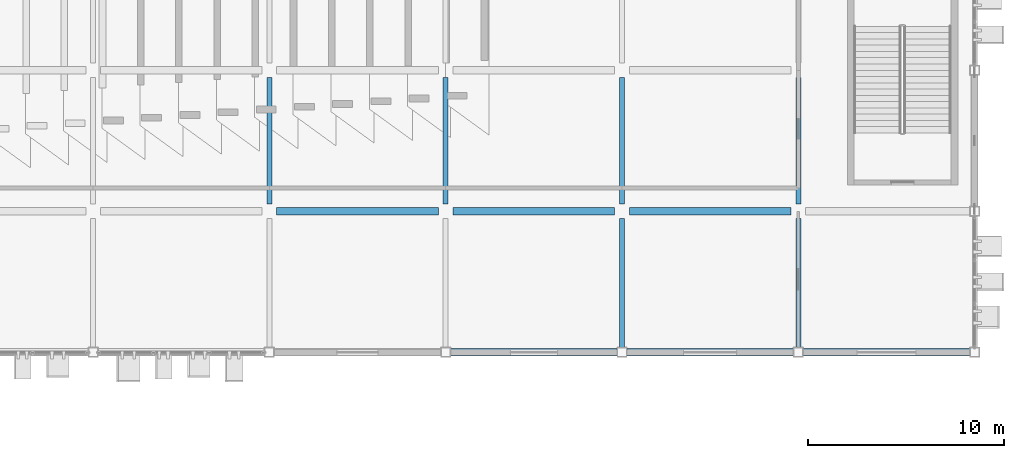
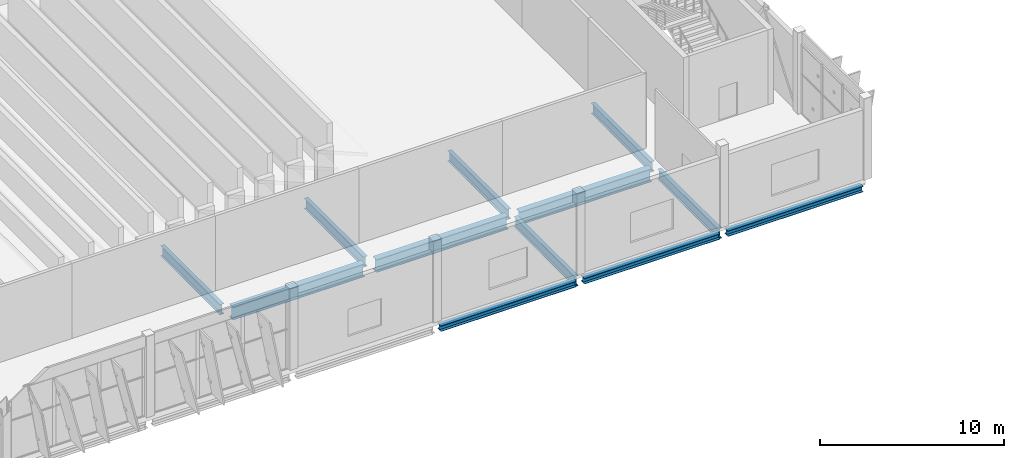
# One storey, part 82 of 189: 12 beams.
"""IFC4 building model written with IfcOpenShell, lengths in metres."""

import ifcopenshell
import ifcopenshell.guid

model = None  # the IFC model being written
_history = None  # IfcOwnerHistory: only IFC2X3 demands one
_inside = {}  # id of a spatial element -> (the spatial element, [elements in it])
_under = {}  # id of a project, library or spatial element -> (it, [spatial elements below it])
_declared = {}  # id of a project -> (the project, [libraries it declares])
_typed = {}  # id of a type object -> (the type object, [elements of that type])
_made_of = {}  # id of a material, layer set ... -> (it, [elements and type objects made of it])


def new_model(schema):
    """Start an empty IFC model of exactly this schema.

    Asked for "IFC4X3", IfcOpenShell would pick the latest addendum, in which some entities
    have other attributes; the version numbers below select the first issue.
    IFC2X3 requires an IfcOwnerHistory on every rooted entity: one is made here for all.
    """
    global model, _history
    if schema == "IFC4X3":
        model = ifcopenshell.file(schema_version=(4, 3, 0, 0))
    else:
        model = ifcopenshell.file(schema=schema)
    _inside.clear()
    _under.clear()
    _declared.clear()
    _typed.clear()
    _made_of.clear()
    _history = None
    if model.schema == "IFC2X3":
        org = make("IfcOrganization", Name="unknown")
        user = make(
            "IfcPersonAndOrganization",
            ThePerson=make("IfcPerson", FamilyName="unknown"),
            TheOrganization=org,
        )
        app = make(
            "IfcApplication",
            ApplicationDeveloper=org,
            Version="unknown",
            ApplicationFullName="unknown",
            ApplicationIdentifier="unknown",
        )
        _history = make(
            "IfcOwnerHistory",
            OwningUser=user,
            OwningApplication=app,
            ChangeAction="ADDED",
            CreationDate=0,
        )
    return model


def make(cls, **values):
    """One entity of the class cls with the attributes given. An attribute that is None is left unset."""
    return model.create_entity(
        cls, **{name: value for name, value in values.items() if value is not None}
    )


def rooted(cls, **values):
    """An entity with a GlobalId (a new one), such as an element, a storey or a relation."""
    return make(cls, GlobalId=ifcopenshell.guid.new(), OwnerHistory=_history, **values)


def si_unit(unit_type, name, prefix=None):
    """IfcSIUnit, for example si_unit("LENGTHUNIT", "METRE", prefix="MILLI")."""
    return make("IfcSIUnit", UnitType=unit_type, Prefix=prefix, Name=name)


def assignment(units):
    """IfcUnitAssignment: the units of a project."""
    return None if units is None else make("IfcUnitAssignment", Units=units)


def point(xyz):
    """IfcCartesianPoint."""
    return None if xyz is None else make("IfcCartesianPoint", Coordinates=xyz)


def direction(xyz):
    """IfcDirection."""
    return None if xyz is None else make("IfcDirection", DirectionRatios=xyz)


def frame(location, z_axis=None, x_axis=None):
    """IfcAxis2Placement3D, a coordinate frame: its origin and axes. An axis left out is left unset."""
    return make(
        "IfcAxis2Placement3D",
        Location=point(location),
        Axis=direction(z_axis),
        RefDirection=direction(x_axis),
    )


def frame_2d(location, x_axis=None):
    """IfcAxis2Placement2D, a coordinate frame in the plane: its origin and x axis."""
    return make(
        "IfcAxis2Placement2D", Location=point(location), RefDirection=direction(x_axis)
    )


def origin():
    """The frame at (0, 0, 0) with its axes left unset."""
    return frame((0.0, 0.0, 0.0))


def origin_2d():
    """The frame at (0, 0) in the plane with its x axis left unset."""
    return frame_2d((0.0, 0.0))


def place(relative_to, where):
    """IfcLocalPlacement: puts the frame where relative to a parent placement (None: the world)."""
    return make(
        "IfcLocalPlacement", PlacementRelTo=relative_to, RelativePlacement=where
    )


def context(
    kind, dimensions, precision=None, world=None, true_north=None, identifier=None
):
    """IfcGeometricRepresentationContext, for example the 3D "Model" context."""
    return make(
        "IfcGeometricRepresentationContext",
        ContextIdentifier=identifier,
        ContextType=kind,
        CoordinateSpaceDimension=dimensions,
        Precision=precision,
        WorldCoordinateSystem=world,
        TrueNorth=true_north,
    )


def subcontext(parent, identifier, kind, view, scale=None):
    """IfcGeometricRepresentationSubContext, for example "Body" below "Model"."""
    return make(
        "IfcGeometricRepresentationSubContext",
        ContextIdentifier=identifier,
        ContextType=kind,
        ParentContext=parent,
        TargetScale=scale,
        TargetView=view,
    )


def project(units=None, contexts=None):
    """IfcProject with its units and contexts."""
    return rooted(
        "IfcProject",
        Name="project",
        RepresentationContexts=contexts,
        UnitsInContext=assignment(units),
    )


def spatial(cls, under=None, at=None, **own):
    """A site, building, storey or space (cls), placed at a placement, below another one or the project."""
    s = rooted(cls, ObjectPlacement=at, **own)
    if under is not None:
        _under.setdefault(under.id(), (under, []))[1].append(s)
    return s


def profile(cls, at=None, kind="AREA", **sizes):
    """A parametric profile (cls). Its sizes go by their IFC names, for example OverallWidth=200.0."""
    return make(cls, ProfileType=kind, Position=at, **sizes)


def i_section(**sizes):
    """IfcIShapeProfileDef."""
    return profile("IfcIShapeProfileDef", **sizes)


def extrude(swept, where, along, depth):
    """IfcExtrudedAreaSolid: the profile swept, set in the frame where, extruded along a direction by depth."""
    return make(
        "IfcExtrudedAreaSolid",
        SweptArea=swept,
        Position=where,
        ExtrudedDirection=direction(along),
        Depth=depth,
    )


def shape(context_of_items, identifier, shape_type, items):
    """IfcShapeRepresentation: the items that make up one representation, for example the "Body"."""
    return make(
        "IfcShapeRepresentation",
        ContextOfItems=context_of_items,
        RepresentationIdentifier=identifier,
        RepresentationType=shape_type,
        Items=items,
    )


def material(Name=None, Category=None):
    """IfcMaterial."""
    return make("IfcMaterial", Name=Name, Category=Category)


def material_profile(
    of_material, cross_section, Name=None, Category=None, Priority=None
):
    """IfcMaterialProfile: a cross section and its material."""
    return make(
        "IfcMaterialProfile",
        Name=Name,
        Material=of_material,
        Profile=cross_section,
        Priority=Priority,
        Category=Category,
    )


def profile_set(profiles, Name=None, composite=None):
    """IfcMaterialProfileSet."""
    return make(
        "IfcMaterialProfileSet",
        Name=Name,
        MaterialProfiles=profiles,
        CompositeProfile=composite,
    )


def made_of(thing, what):
    """Note that an element or type object is made of a material, layer set ...; save() writes the relation."""
    if what is not None:
        _made_of.setdefault(what.id(), (what, []))[1].append(thing)
    return thing


def type_object(cls, material=None, **own):
    """A type object (cls), such as IfcWallType, which elements share."""
    return made_of(rooted(cls, **own), material)


def element(
    cls,
    number,
    at=None,
    inside=None,
    cuts=None,
    type_object=None,
    material=None,
    context=None,
    identifier="Body",
    shape_type=None,
    held_by="IfcProductDefinitionShape",
    body=None,
    shapes=None,
    **own,
):
    """One element of the class cls, such as IfcWall. Its Tag is "e" and its number.

    at: its placement. inside: the storey or other place that contains it. cuts: it is an
    opening in that element (IfcRelVoidsElement). A single representation is given by context,
    identifier, shape_type and body (its items); several are given by shapes. held_by: the class
    of the entity that holds the representations. save() writes the other relations.
    """
    e = rooted(cls, Tag="e%d" % number, ObjectPlacement=at, **own)
    if body is not None:
        shapes = [shape(context, identifier, shape_type, body)]
    if shapes is not None:
        e.Representation = make(held_by, Representations=shapes)
    if inside is not None:
        _inside.setdefault(inside.id(), (inside, []))[1].append(e)
    if cuts is not None:
        rooted(
            "IfcRelVoidsElement", RelatingBuildingElement=cuts, RelatedOpeningElement=e
        )
    if type_object is not None:
        _typed.setdefault(type_object.id(), (type_object, []))[1].append(e)
    return made_of(e, material)


def aggregate(whole, parts):
    """IfcRelAggregates: a whole, such as a stair, and the parts it consists of."""
    return rooted("IfcRelAggregates", RelatingObject=whole, RelatedObjects=parts)


def save(model, path):
    """Write the relations noted so far, then the file.

    IfcRelAggregates (storeys below a building ...), IfcRelContainedInSpatialStructure (elements
    in a storey), IfcRelDefinesByType, IfcRelAssociatesMaterial and IfcRelDeclares: one each for
    every whole, place, type object, material and project.
    """
    for whole, parts in _under.values():
        aggregate(whole, parts)
    for where, things in _inside.values():
        rooted(
            "IfcRelContainedInSpatialStructure",
            RelatedElements=things,
            RelatingStructure=where,
        )
    for kind, things in _typed.values():
        rooted("IfcRelDefinesByType", RelatedObjects=things, RelatingType=kind)
    for what, things in _made_of.values():
        rooted("IfcRelAssociatesMaterial", RelatedObjects=things, RelatingMaterial=what)
    for by, libraries in _declared.values():
        rooted("IfcRelDeclares", RelatingContext=by, RelatedDefinitions=libraries)
    model.write(path)


model = new_model("IFC4")

# Units and contexts
model_context = context("Model", 3, precision=1e-05, world=origin(), true_north=direction((0.0, 1.0)))
body_context = subcontext(model_context, "Body", "Model", "MODEL_VIEW")
ifc_project = project(units=[si_unit("LENGTHUNIT", "METRE"), si_unit("AREAUNIT", "SQUARE_METRE"), si_unit("VOLUMEUNIT", "CUBIC_METRE"), si_unit("PLANEANGLEUNIT", "RADIAN"), si_unit("MASSUNIT", "GRAM", prefix="KILO")], contexts=[model_context])

# Site, building, storey
site_placement = place(None, origin())
site = spatial("IfcSite", under=ifc_project, at=site_placement, CompositionType="ELEMENT")
building_placement = place(site_placement, origin())
building = spatial("IfcBuilding", under=site, at=building_placement, Name="Celestram Park Convention Centre", CompositionType="ELEMENT")
storey_placement = place(building_placement, frame((0.0, 0.0, 5.39990234375)))
storey = spatial("IfcBuildingStorey", under=building, at=storey_placement, Name="L01", CompositionType="ELEMENT", Elevation=5.39990234375)

# Beams
ifc_material = material(Name="Steel ASTM A992 Grade 50", Category="steel")
ifc_material_profile_1 = material_profile(ifc_material, i_section(OverallWidth=0.25390625, OverallDepth=0.68310546875, WebThickness=0.012451171875, FlangeThickness=0.01904296875, at=origin_2d()), Name="W27X94")
ifc_profile_set_1 = profile_set([ifc_material_profile_1], Name="Steel ASTM A992 Grade 50")
beam_type_1 = type_object("IfcBeamType", Name="STR-BM-W27X94", PredefinedType="BEAM", material=ifc_profile_set_1)
for number, where, z_axis, x_axis, name in (
    (1, (180.0, 122.77294921875, -0.761474609375), (0.0, 1.0, 0.0), (-1.0, 0.0, 0.0), "Primary Y-girder BG-L01-0448"),
    (2, (189.0, 122.77294921875, -0.761474609375), (0.0, 1.0, 0.0), (-1.0, 0.0, 0.0), "Primary Y-girder BG-L01-0474"),
):
    element("IfcBeam", number, at=place(storey_placement, frame(where, z_axis=z_axis, x_axis=x_axis)), inside=storey, type_object=beam_type_1, Name=name, PredefinedType="BEAM", context=body_context, shape_type="SweptSolid", body=[
        extrude(i_section(OverallWidth=0.25390625, OverallDepth=0.68310546875, WebThickness=0.012451171875, FlangeThickness=0.01904296875, at=origin_2d()), origin(), (0.0, 0.0, 1.0), 6.4541015625),
    ])
beam_1_placement = place(storey_placement, frame((198.0, 115.447998046875, -0.761474609375), z_axis=(0.0, 1.0, 0.0), x_axis=(-1.0, 0.0, 0.0)))
element("IfcBeam", 3, at=beam_1_placement, inside=storey, type_object=beam_type_1, Name="Primary Y-girder BG-L01-0498", PredefinedType="BEAM", context=body_context, shape_type="SweptSolid", body=[
    extrude(i_section(OverallWidth=0.25390625, OverallDepth=0.68310546875, WebThickness=0.012451171875, FlangeThickness=0.01904296875, at=origin_2d()), origin(), (0.0, 0.0, 1.0), 6.5791015625),
])
beam_2_placement = place(storey_placement, frame((198.0, 122.77294921875, -0.761474609375), z_axis=(0.0, 1.0, 0.0), x_axis=(-1.0, 0.0, 0.0)))
element("IfcBeam", 4, at=beam_2_placement, inside=storey, type_object=beam_type_1, Name="Primary Y-girder BG-L01-0500", PredefinedType="BEAM", context=body_context, shape_type="SweptSolid", body=[
    extrude(i_section(OverallWidth=0.25390625, OverallDepth=0.68310546875, WebThickness=0.012451171875, FlangeThickness=0.01904296875, at=origin_2d()), origin(), (0.0, 0.0, 1.0), 6.4541015625),
])
beam_3_placement = place(storey_placement, frame((207.0, 115.447998046875, -0.761474609375), z_axis=(0.0, 1.0, 0.0), x_axis=(-1.0, 0.0, 0.0)))
element("IfcBeam", 5, at=beam_3_placement, inside=storey, type_object=beam_type_1, Name="Primary Y-girder BG-L01-0522", PredefinedType="BEAM", context=body_context, shape_type="SweptSolid", body=[
    extrude(i_section(OverallWidth=0.25390625, OverallDepth=0.68310546875, WebThickness=0.012451171875, FlangeThickness=0.01904296875, at=origin_2d()), origin(), (0.0, 0.0, 1.0), 6.5791015625),
])
beam_4_placement = place(storey_placement, frame((207.0, 122.77294921875, -0.761474609375), z_axis=(0.0, 1.0, 0.0), x_axis=(-1.0, 0.0, 0.0)))
element("IfcBeam", 6, at=beam_4_placement, inside=storey, type_object=beam_type_1, Name="Primary Y-girder BG-L01-0524", PredefinedType="BEAM", context=body_context, shape_type="SweptSolid", body=[
    extrude(i_section(OverallWidth=0.25390625, OverallDepth=0.68310546875, WebThickness=0.012451171875, FlangeThickness=0.01904296875, at=origin_2d()), origin(), (0.0, 0.0, 1.0), 6.4541015625),
])
ifc_material_profile_2 = material_profile(ifc_material, i_section(OverallWidth=0.40087890625, OverallDepth=0.85595703125, WebThickness=0.018310546875, FlangeThickness=0.029296875, at=origin_2d()), Name="W33X201")
ifc_profile_set_2 = profile_set([ifc_material_profile_2], Name="Steel ASTM A992 Grade 50")
beam_type_2 = type_object("IfcBeamType", Name="STR-BM-W33X201", PredefinedType="BEAM", material=ifc_profile_set_2)
for number, where, z_axis, x_axis, name in (
    (7, (180.373046875, 122.39990234375, -0.847900390625), (1.0, 0.0, 0.0), (0.0, 1.0, 0.0), "Primary X-girder BG-L01-0447"),
    (8, (189.373046875, 122.39990234375, -0.847900390625), (1.0, 0.0, 0.0), (0.0, 1.0, 0.0), "Primary X-girder BG-L01-0473"),
    (9, (198.373046875, 122.39990234375, -0.847900390625), (1.0, 0.0, 0.0), (0.0, 1.0, 0.0), "Primary X-girder BG-L01-0499"),
):
    element("IfcBeam", number, at=place(storey_placement, frame(where, z_axis=z_axis, x_axis=x_axis)), inside=storey, type_object=beam_type_2, Name=name, PredefinedType="BEAM", context=body_context, shape_type="SweptSolid", body=[
        extrude(i_section(OverallWidth=0.40087890625, OverallDepth=0.85595703125, WebThickness=0.018310546875, FlangeThickness=0.029296875, at=origin_2d()), origin(), (0.0, 0.0, 1.0), 8.25390625),
    ])
ifc_material_profile_3 = material_profile(ifc_material, i_section(OverallWidth=0.373046875, OverallDepth=0.373046875, WebThickness=0.016357421875, FlangeThickness=0.026123046875, at=origin_2d()), Name="W14X132")
ifc_profile_set_3 = profile_set([ifc_material_profile_3], Name="Steel ASTM A992 Grade 50")
beam_type_3 = type_object("IfcBeamType", Name="STR-SPN-W14X132", PredefinedType="SPANDREL", material=ifc_profile_set_3)
for number, where, z_axis, x_axis, name in (
    (10, (189.248046875, 115.199951171875, -0.6064453125), (1.0, 0.0, 0.0), (0.0, 1.0, 0.0), "Primary X-girder BG-L01-0471"),
    (11, (198.248046875, 115.199951171875, -0.6064453125), (1.0, 0.0, 0.0), (0.0, 1.0, 0.0), "Primary X-girder BG-L01-0497"),
    (12, (207.248046875, 115.199951171875, -0.6064453125), (1.0, 0.0, 0.0), (0.0, 1.0, 0.0), "Primary X-girder BG-L01-0521"),
):
    element("IfcBeam", number, at=place(storey_placement, frame(where, z_axis=z_axis, x_axis=x_axis)), inside=storey, type_object=beam_type_3, Name=name, PredefinedType="SPANDREL", context=body_context, shape_type="SweptSolid", body=[
        extrude(i_section(OverallWidth=0.373046875, OverallDepth=0.373046875, WebThickness=0.016357421875, FlangeThickness=0.026123046875, at=origin_2d()), origin(), (0.0, 0.0, 1.0), 8.50390625),
    ])

save(model, "model.ifc")
